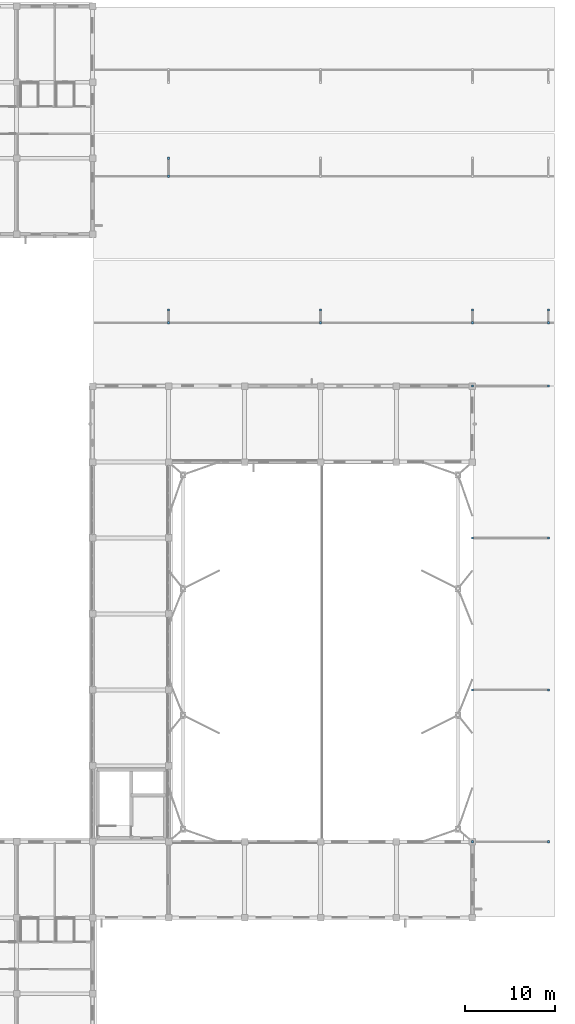
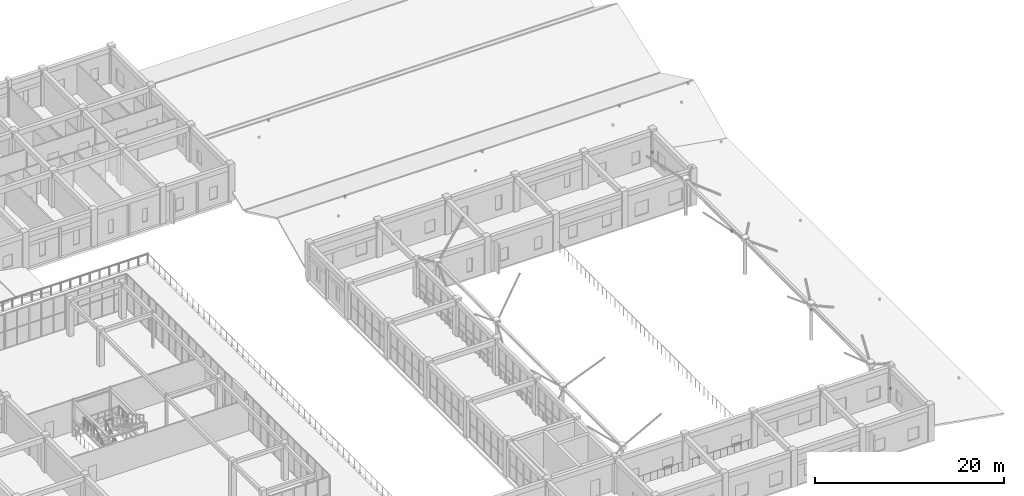
# One storey, part 141 of 158: 18 discrete accessories.
"""IFC4 building model written with IfcOpenShell, lengths in metres."""

from ifc_helpers import new_model, si_unit, direction, frame, origin, origin_2d, place, context, subcontext, project, spatial, rectangle, extrude, material, type_object, element, save


model = new_model("IFC4")

# Units and contexts
model_context = context("Model", 3, precision=1e-05, world=origin(), true_north=direction((0.0, 1.0)))
body_context = subcontext(model_context, "Body", "Model", "MODEL_VIEW")
ifc_project = project(units=[si_unit("LENGTHUNIT", "METRE"), si_unit("AREAUNIT", "SQUARE_METRE"), si_unit("VOLUMEUNIT", "CUBIC_METRE"), si_unit("PLANEANGLEUNIT", "RADIAN"), si_unit("MASSUNIT", "GRAM", prefix="KILO")], contexts=[model_context])

# Site, building, storey
site_placement = place(None, origin())
site = spatial("IfcSite", under=ifc_project, at=site_placement, CompositionType="ELEMENT")
building_placement = place(site_placement, origin())
building = spatial("IfcBuilding", under=site, at=building_placement, Name="Trelvath General Hospital", CompositionType="ELEMENT")
storey_placement = place(building_placement, frame((0.0, 0.0, 8.10009765625)))
storey = spatial("IfcBuildingStorey", under=building, at=storey_placement, Name="L02", CompositionType="ELEMENT", Elevation=8.10009765625)

# Discrete accessories
ifc_material = material(Name="Steel S355", Category="steel")
discrete_accessory_type = type_object("IfcDiscreteAccessoryType", Name="FacadeBracket S355", PredefinedType="BRACKET", material=ifc_material)
for number, where, z_axis, x_axis, name in (
    (1, (142.800048828125, 84.0, -0.1201171875), (0.0, 0.0, 1.0), (1.0, 0.0, 0.0), "Emergency Shell Ridge Strut Node 1-A"),
    (2, (142.800048828125, 82.60009765625, 3.15966796875), (0.0, 0.0, 1.0), (1.0, 0.0, 0.0), "Emergency Shell Ridge Strut Node 1-B"),
    (3, (159.60009765625, 84.0, -0.1201171875), (0.0, 0.0, 1.0), (1.0, 0.0, 0.0), "Emergency Shell Ridge Strut Node 2-A"),
    (4, (159.60009765625, 82.60009765625, 3.15966796875), (0.0, 0.0, 1.0), (1.0, 0.0, 0.0), "Emergency Shell Ridge Strut Node 2-B"),
    (5, (176.39990234375, 84.0, -0.1201171875), (0.0, 0.0, 1.0), (1.0, 0.0, 0.0), "Emergency Shell Ridge Strut Node 3-A"),
    (6, (176.39990234375, 82.60009765625, 3.15966796875), (0.0, 0.0, 1.0), (1.0, 0.0, 0.0), "Emergency Shell Ridge Strut Node 3-B"),
    (7, (184.800048828125, 84.0, -0.1201171875), (0.0, 0.0, 1.0), (1.0, 0.0, 0.0), "Emergency Shell Ridge Strut Node 4-A"),
    (8, (184.800048828125, 82.60009765625, 3.15966796875), (0.0, 0.0, 1.0), (1.0, 0.0, 0.0), "Emergency Shell Ridge Strut Node 4-B"),
    (9, (142.800048828125, 100.800048828125, -0.1201171875), (0.0, 0.0, 1.0), (1.0, 0.0, 0.0), "Emergency Shell Ridge Strut Node 5-A"),
    (10, (142.800048828125, 98.800048828125, 3.259765625), (0.0, 0.0, 1.0), (1.0, 0.0, 0.0), "Emergency Shell Ridge Strut Node 5-B"),
    (11, (184.800048828125, 25.199951171875, -0.1201171875), (0.0, 0.0, 1.0), (1.0, 0.0, 0.0), "East Arcade Roof Strut Node 13-A"),
    (12, (176.39990234375, 25.199951171875, 1.4599609375), (0.0, 0.0, 1.0), (1.0, 0.0, 0.0), "East Arcade Roof Strut Node 13-B"),
    (13, (184.800048828125, 42.0, -0.1201171875), (0.0, 0.0, 1.0), (1.0, 0.0, 0.0), "East Arcade Roof Strut Node 14-A"),
    (14, (176.39990234375, 42.0, 1.4599609375), (0.0, 0.0, 1.0), (1.0, 0.0, 0.0), "East Arcade Roof Strut Node 14-B"),
    (15, (184.800048828125, 58.800048828125, -0.1201171875), (0.0, 0.0, 1.0), (1.0, 0.0, 0.0), "East Arcade Roof Strut Node 15-A"),
    (16, (176.39990234375, 58.800048828125, 1.4599609375), (0.0, 0.0, 1.0), (1.0, 0.0, 0.0), "East Arcade Roof Strut Node 15-B"),
    (17, (184.800048828125, 75.60009765625, -0.1201171875), (0.0, 0.0, 1.0), (1.0, 0.0, 0.0), "East Arcade Roof Strut Node 16-A"),
    (18, (176.39990234375, 75.60009765625, 1.4599609375), (0.0, 0.0, 1.0), (1.0, 0.0, 0.0), "East Arcade Roof Strut Node 16-B"),
):
    element("IfcDiscreteAccessory", number, at=place(storey_placement, frame(where, z_axis=z_axis, x_axis=x_axis)), inside=storey, type_object=discrete_accessory_type, Name=name, PredefinedType="BRACKET", context=body_context, shape_type="SweptSolid", body=[
        extrude(rectangle(XDim=0.239990234375, YDim=0.239990234375, at=origin_2d()), origin(), (0.0, 0.0, 1.0), 0.239990234375),
    ])

save(model, "model.ifc")
